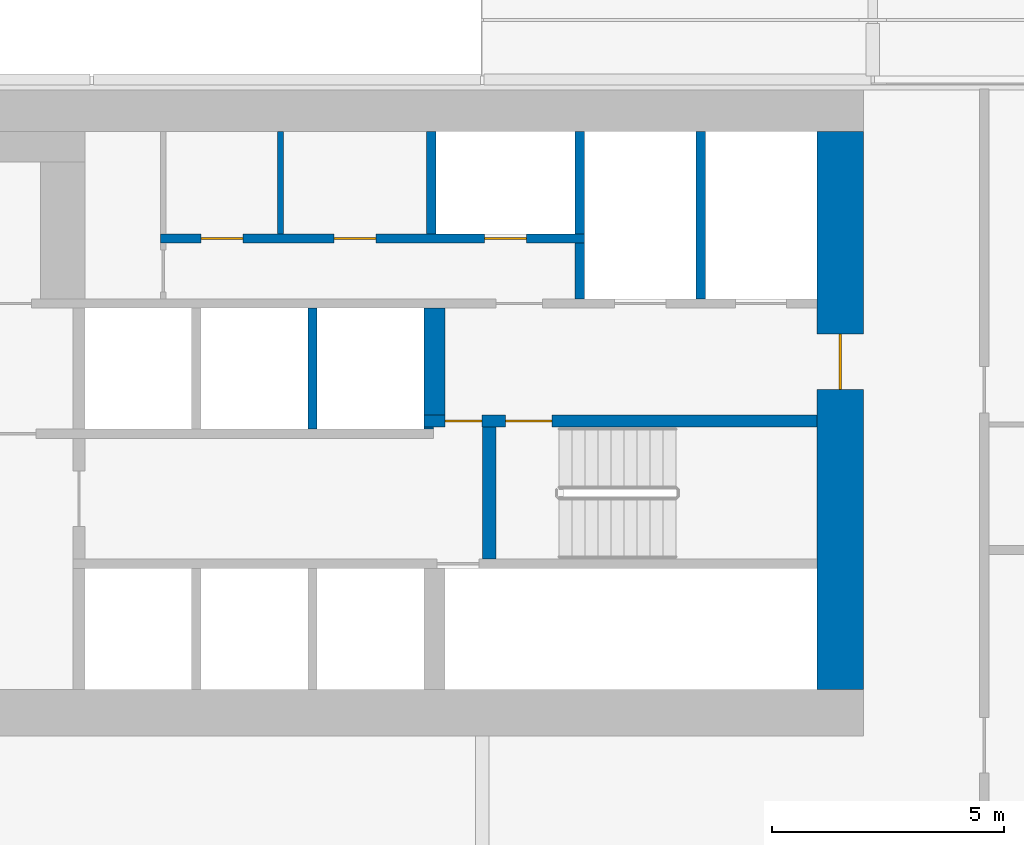
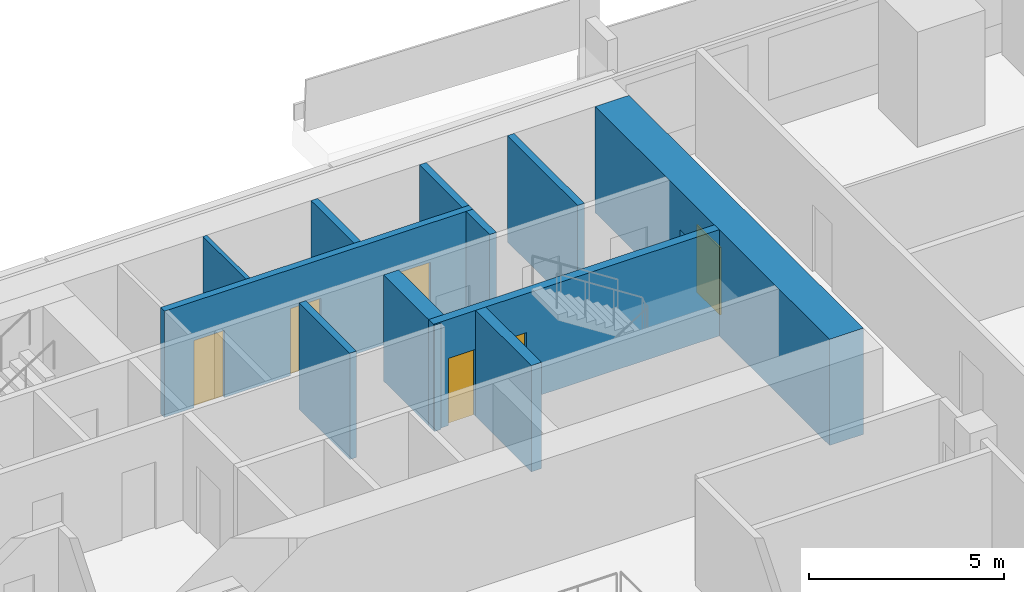
# One storey, part 23 of 30: 12 walls, 6 doors, 6 openings.
"""IFC4 building model written with IfcOpenShell, lengths in metres."""

from ifc_helpers import new_model, si_unit, direction, frame, frame_2d, origin, place, context, subcontext, project, spatial, rectangle, extrude, material, layer, layer_set, type_object, element, fill, save


model = new_model("IFC4")

# Units and contexts
model_context = context("Model", 3, precision=1e-05, world=origin(), true_north=direction((0.0, 1.0)))
body_context = subcontext(model_context, "Body", "Model", "MODEL_VIEW")
ifc_project = project(units=[si_unit("LENGTHUNIT", "METRE"), si_unit("AREAUNIT", "SQUARE_METRE"), si_unit("VOLUMEUNIT", "CUBIC_METRE"), si_unit("PLANEANGLEUNIT", "RADIAN"), si_unit("MASSUNIT", "GRAM", prefix="KILO")], contexts=[model_context])

# Site, building, storey
site_placement = place(None, origin())
site = spatial("IfcSite", under=ifc_project, at=site_placement, CompositionType="ELEMENT")
building_placement = place(site_placement, origin())
building = spatial("IfcBuilding", under=site, at=building_placement, Name="Saffron Gate Tower", CompositionType="ELEMENT")
storey_placement = place(building_placement, frame((0.0, 0.0, 95.25)))
storey = spatial("IfcBuildingStorey", under=building, at=storey_placement, Name="L21", CompositionType="ELEMENT", Elevation=95.25)

# Wall, opening, door
ifc_material_1 = material(Name="Concrete C70", Category="concrete")
ifc_layer_1 = layer(ifc_material_1, 1.0)
ifc_layer_set_1 = layer_set([ifc_layer_1], Name="CW12 RC core wall 1000 C70")
wall_type_1 = type_object("IfcWallType", Name="CW12 RC core wall 1000 C70", PredefinedType="SOLIDWALL", material=ifc_layer_set_1)
wall_1_placement = place(storey_placement, frame((107.89990234375, 62.39990234375, 0.0), z_axis=(0.0, 0.0, 1.0), x_axis=(0.0, 1.0, 0.0)))
wall_1 = element("IfcWall", 1, at=wall_1_placement, inside=storey, type_object=wall_type_1, Name="Wall CW12-L21-4", PredefinedType="SOLIDWALL", context=body_context, shape_type="SweptSolid", body=[
    extrude(rectangle(XDim=12.0, YDim=1.0, at=frame_2d((6.0, 0.0))), origin(), (0.0, 0.0, 1.0), 3.320068359375),
])
opening_1_placement = place(wall_1_placement, frame((6.449951171875, 0.0, 0.0)))
opening_1 = element("IfcOpeningElement", 2, at=opening_1_placement, cuts=wall_1, Name="Opening CR-08", PredefinedType="OPENING", context=body_context, shape_type="SweptSolid", body=[
    extrude(rectangle(XDim=1.199951171875, YDim=2.10009765625, at=frame_2d((0.60009765625, 1.050048828125))), frame((0.0, 0.510009765625, 0.0), z_axis=(0.0, -1.0, 0.0), x_axis=(1.0, 0.0, 0.0)), (0.0, 0.0, 1.0), 1.02001953125),
])
ifc_material_2 = material(Name="Steel fire door set", Category="steel")
door_type_1 = type_object("IfcDoorType", Name="CD7 Core entrance door 1200x2100 EI 120", OperationType="NOTDEFINED", PredefinedType="DOOR", material=ifc_material_2)
door_1_placement = place(opening_1_placement, origin())
door_1 = element("IfcDoor", 3, at=door_1_placement, inside=storey, type_object=door_type_1, Name="DOOR CR-08", OperationType="SINGLE_SWING_RIGHT", OverallHeight=2.10009765625, OverallWidth=1.199951171875, PredefinedType="DOOR", context=body_context, shape_type="SweptSolid", body=[
    extrude(rectangle(XDim=1.199951171875, YDim=2.10009765625, at=frame_2d((0.60009765625, 1.050048828125))), frame((0.0, 0.02490234375, 0.0), z_axis=(0.0, -1.0, 0.0), x_axis=(1.0, 0.0, 0.0)), (0.0, 0.0, 1.0), 0.050048828125),
])
fill(opening_1, door_1)

# Wall, openings, doors
ifc_layer_2 = layer(ifc_material_1, 0.25)
ifc_layer_set_2 = layer_set([ifc_layer_2], Name="CW2 RC core wall 250 C70")
wall_type_2 = type_object("IfcWallType", Name="CW2 RC core wall 250 C70", PredefinedType="SOLIDWALL", material=ifc_layer_set_2)
wall_2_placement = place(storey_placement, frame((98.949951171875, 68.175048828125, 0.0), z_axis=(0.0, 0.0, 1.0), x_axis=(1.0, 0.0, 0.0)))
wall_2 = element("IfcWall", 4, at=wall_2_placement, inside=storey, type_object=wall_type_2, Name="Wall CW2-L21-31", PredefinedType="SOLIDWALL", context=body_context, shape_type="SweptSolid", body=[
    extrude(rectangle(XDim=8.449951171875, YDim=0.25, at=frame_2d((4.22509765625, 0.0))), origin(), (0.0, 0.0, 1.0), 3.320068359375),
])
opening_2_placement = place(wall_2_placement, frame((0.449951171875, 0.0, 0.0)))
opening_2 = element("IfcOpeningElement", 5, at=opening_2_placement, cuts=wall_2, Name="Opening CR-05", PredefinedType="OPENING", context=body_context, shape_type="SweptSolid", body=[
    extrude(rectangle(XDim=0.800048828125, YDim=2.10009765625, at=frame_2d((0.39990234375, 1.050048828125))), frame((0.0, 0.135009765625, 0.0), z_axis=(0.0, -1.0, 0.0), x_axis=(1.0, 0.0, 0.0)), (0.0, 0.0, 1.0), 0.27001953125),
])
opening_3_placement = place(wall_2_placement, frame((1.75, 0.0, 0.0)))
opening_3 = element("IfcOpeningElement", 6, at=opening_3_placement, cuts=wall_2, Name="Opening CR-16", PredefinedType="OPENING", context=body_context, shape_type="SweptSolid", body=[
    extrude(rectangle(XDim=1.0, YDim=2.10009765625, at=frame_2d((0.5, 1.050048828125))), frame((0.0, 0.135009765625, 0.0), z_axis=(0.0, -1.0, 0.0), x_axis=(1.0, 0.0, 0.0)), (0.0, 0.0, 1.0), 0.27001953125),
])
door_type_2 = type_object("IfcDoorType", Name="CD5 Stair door 1000x2100 EI 120", OperationType="NOTDEFINED", PredefinedType="DOOR", material=ifc_material_2)
door_2_placement = place(opening_3_placement, origin())
door_2 = element("IfcDoor", 7, at=door_2_placement, inside=storey, type_object=door_type_2, Name="DOOR CR-16", OperationType="SINGLE_SWING_RIGHT", OverallHeight=2.10009765625, OverallWidth=1.0, PredefinedType="DOOR", context=body_context, shape_type="SweptSolid", body=[
    extrude(rectangle(XDim=1.0, YDim=2.10009765625, at=frame_2d((0.5, 1.050048828125))), frame((0.0, 0.02490234375, 0.0), z_axis=(0.0, -1.0, 0.0), x_axis=(1.0, 0.0, 0.0)), (0.0, 0.0, 1.0), 0.050048828125),
])
fill(opening_3, door_2)
door_type_3 = type_object("IfcDoorType", Name="CD6 Lobby door 800x2100 EI 120", OperationType="NOTDEFINED", PredefinedType="DOOR", material=ifc_material_2)
door_3_placement = place(opening_2_placement, origin())
door_3 = element("IfcDoor", 8, at=door_3_placement, inside=storey, type_object=door_type_3, Name="DOOR CR-05", OperationType="SINGLE_SWING_LEFT", OverallHeight=2.10009765625, OverallWidth=0.800048828125, PredefinedType="DOOR", context=body_context, shape_type="SweptSolid", body=[
    extrude(rectangle(XDim=0.800048828125, YDim=2.10009765625, at=frame_2d((0.39990234375, 1.050048828125))), frame((0.0, 0.02490234375, 0.0), z_axis=(0.0, -1.0, 0.0), x_axis=(1.0, 0.0, 0.0)), (0.0, 0.0, 1.0), 0.050048828125),
])
fill(opening_2, door_3)

# Walls
ifc_layer_3 = layer(ifc_material_1, 0.199951171875)
ifc_layer_set_3 = layer_set([ifc_layer_3], Name="CW3 RC core wall 200 C70")
wall_type_3 = type_object("IfcWallType", Name="CW3 RC core wall 200 C70", PredefinedType="SOLIDWALL", material=ifc_layer_set_3)
wall_3_placement = place(storey_placement, frame((96.550048828125, 68.0, 0.0), z_axis=(0.0, 0.0, 1.0), x_axis=(0.0, 1.0, 0.0)))
element("IfcWall", 9, at=wall_3_placement, inside=storey, type_object=wall_type_3, Name="Wall CW3-L21-28", PredefinedType="SOLIDWALL", context=body_context, shape_type="SweptSolid", body=[
    extrude(rectangle(XDim=2.60009765625, YDim=0.199951171875, at=frame_2d((1.300048828125, 0.0))), origin(), (0.0, 0.0, 1.0), 3.320068359375),
])
wall_4_placement = place(storey_placement, frame((102.300048828125, 70.800048828125, 0.0), z_axis=(0.0, 0.0, 1.0), x_axis=(0.0, 1.0, 0.0)))
element("IfcWall", 10, at=wall_4_placement, inside=storey, type_object=wall_type_3, Name="Wall CW3-L21-41", PredefinedType="SOLIDWALL", context=body_context, shape_type="SweptSolid", body=[
    extrude(rectangle(XDim=1.199951171875, YDim=0.199951171875, at=frame_2d((0.60009765625, 0.0))), origin(), (0.0, 0.0, 1.0), 3.320068359375),
])
wall_5_placement = place(storey_placement, frame((104.89990234375, 70.800048828125, 0.0), z_axis=(0.0, 0.0, 1.0), x_axis=(0.0, 1.0, 0.0)))
element("IfcWall", 11, at=wall_5_placement, inside=storey, type_object=wall_type_3, Name="Wall CW3-L21-42", PredefinedType="SOLIDWALL", context=body_context, shape_type="SweptSolid", body=[
    extrude(rectangle(XDim=3.599853515625, YDim=0.199951171875, at=frame_2d((1.7998046875, 0.0))), origin(), (0.0, 0.0, 1.0), 3.320068359375),
])

# Wall, openings, doors
wall_6_placement = place(storey_placement, frame((93.280029296875, 72.10009765625, 0.0), z_axis=(0.0, 0.0, 1.0), x_axis=(1.0, 0.0, 0.0)))
wall_6 = element("IfcWall", 12, at=wall_6_placement, inside=storey, type_object=wall_type_3, Name="Wall CW3-L21-44", PredefinedType="SOLIDWALL", context=body_context, shape_type="SweptSolid", body=[
    extrude(rectangle(XDim=9.119873046875, YDim=0.199951171875, at=frame_2d((4.56005859375, 0.0))), origin(), (0.0, 0.0, 1.0), 3.320068359375),
])
opening_4_placement = place(wall_6_placement, frame((0.8701171875, 0.0, 0.0)))
opening_4 = element("IfcOpeningElement", 13, at=opening_4_placement, cuts=wall_6, Name="Opening CR-50", PredefinedType="OPENING", context=body_context, shape_type="SweptSolid", body=[
    extrude(rectangle(XDim=0.89990234375, YDim=2.10009765625, at=frame_2d((0.449951171875, 1.050048828125))), frame((0.0, 0.10986328125, 0.0), z_axis=(0.0, -1.0, 0.0), x_axis=(1.0, 0.0, 0.0)), (0.0, 0.0, 1.0), 0.219970703125),
])
opening_5_placement = place(wall_6_placement, frame((3.72998046875, 0.0, 0.0)))
opening_5 = element("IfcOpeningElement", 14, at=opening_5_placement, cuts=wall_6, Name="Opening CR-53", PredefinedType="OPENING", context=body_context, shape_type="SweptSolid", body=[
    extrude(rectangle(XDim=0.89990234375, YDim=2.10009765625, at=frame_2d((0.449951171875, 1.050048828125))), frame((0.0, 0.10986328125, 0.0), z_axis=(0.0, -1.0, 0.0), x_axis=(1.0, 0.0, 0.0)), (0.0, 0.0, 1.0), 0.219970703125),
])
opening_6_placement = place(wall_6_placement, frame((6.969970703125, 0.0, 0.0)))
opening_6 = element("IfcOpeningElement", 15, at=opening_6_placement, cuts=wall_6, Name="Opening CR-70", PredefinedType="OPENING", context=body_context, shape_type="SweptSolid", body=[
    extrude(rectangle(XDim=0.89990234375, YDim=2.10009765625, at=frame_2d((0.449951171875, 1.050048828125))), frame((0.0, 0.10986328125, 0.0), z_axis=(0.0, -1.0, 0.0), x_axis=(1.0, 0.0, 0.0)), (0.0, 0.0, 1.0), 0.219970703125),
])
door_type_4 = type_object("IfcDoorType", Name="CD2 Riser door 900x2100 EI 60", OperationType="NOTDEFINED", PredefinedType="DOOR", material=ifc_material_2)
door_4_placement = place(opening_6_placement, origin())
door_4 = element("IfcDoor", 16, at=door_4_placement, inside=storey, type_object=door_type_4, Name="DOOR CR-70", OperationType="SINGLE_SWING_LEFT", OverallHeight=2.10009765625, OverallWidth=0.89990234375, PredefinedType="DOOR", context=body_context, shape_type="SweptSolid", body=[
    extrude(rectangle(XDim=0.89990234375, YDim=2.10009765625, at=frame_2d((0.449951171875, 1.050048828125))), frame((0.0, 0.02490234375, 0.0), z_axis=(0.0, -1.0, 0.0), x_axis=(1.0, 0.0, 0.0)), (0.0, 0.0, 1.0), 0.050048828125),
])
fill(opening_6, door_4)
door_type_5 = type_object("IfcDoorType", Name="CD9 Room door 900x2100 EI 60", OperationType="NOTDEFINED", PredefinedType="DOOR", material=ifc_material_2)
door_5_placement = place(opening_4_placement, origin())
door_5 = element("IfcDoor", 17, at=door_5_placement, inside=storey, type_object=door_type_5, Name="DOOR CR-50", OperationType="SINGLE_SWING_LEFT", OverallHeight=2.10009765625, OverallWidth=0.89990234375, PredefinedType="DOOR", context=body_context, shape_type="SweptSolid", body=[
    extrude(rectangle(XDim=0.89990234375, YDim=2.10009765625, at=frame_2d((0.449951171875, 1.050048828125))), frame((0.0, 0.02490234375, 0.0), z_axis=(0.0, -1.0, 0.0), x_axis=(1.0, 0.0, 0.0)), (0.0, 0.0, 1.0), 0.050048828125),
])
fill(opening_4, door_5)
door_6_placement = place(opening_5_placement, origin())
door_6 = element("IfcDoor", 18, at=door_6_placement, inside=storey, type_object=door_type_5, Name="DOOR CR-53", OperationType="SINGLE_SWING_LEFT", OverallHeight=2.10009765625, OverallWidth=0.89990234375, PredefinedType="DOOR", context=body_context, shape_type="SweptSolid", body=[
    extrude(rectangle(XDim=0.89990234375, YDim=2.10009765625, at=frame_2d((0.449951171875, 1.050048828125))), frame((0.0, 0.02490234375, 0.0), z_axis=(0.0, -1.0, 0.0), x_axis=(1.0, 0.0, 0.0)), (0.0, 0.0, 1.0), 0.050048828125),
])
fill(opening_5, door_6)

# Walls
for number, where, z_axis, x_axis, name in (
    (19, (99.10009765625, 72.199951171875, 0.0), (0.0, 0.0, 1.0), (0.0, 1.0, 0.0), "Wall CW3-L21-51"),
    (20, (102.300048828125, 72.199951171875, 0.0), (0.0, 0.0, 1.0), (0.0, 1.0, 0.0), "Wall CW3-L21-52"),
):
    element("IfcWall", number, at=place(storey_placement, frame(where, z_axis=z_axis, x_axis=x_axis)), inside=storey, type_object=wall_type_3, Name=name, PredefinedType="SOLIDWALL", context=body_context, shape_type="SweptSolid", body=[
        extrude(rectangle(XDim=2.199951171875, YDim=0.199951171875, at=frame_2d((1.10009765625, 0.0))), origin(), (0.0, 0.0, 1.0), 3.320068359375),
    ])
ifc_layer_4 = layer(ifc_material_1, 0.449951171875)
ifc_layer_set_4 = layer_set([ifc_layer_4], Name="CW4 RC core wall 450 C70")
wall_type_4 = type_object("IfcWallType", Name="CW4 RC core wall 450 C70", PredefinedType="SOLIDWALL", material=ifc_layer_set_4)
wall_7_placement = place(storey_placement, frame((99.175048828125, 68.300048828125, 0.0), z_axis=(0.0, 0.0, 1.0), x_axis=(0.0, 1.0, 0.0)))
element("IfcWall", 21, at=wall_7_placement, inside=storey, type_object=wall_type_4, Name="Wall CW4-L21-33", PredefinedType="SOLIDWALL", context=body_context, shape_type="SweptSolid", body=[
    extrude(rectangle(XDim=2.300048828125, YDim=0.449951171875, at=frame_2d((1.14990234375, 0.0))), origin(), (0.0, 0.0, 1.0), 3.320068359375),
])
ifc_layer_5 = layer(ifc_material_1, 0.300048828125)
ifc_layer_set_5 = layer_set([ifc_layer_5], Name="CW5 RC core wall 300 C70")
wall_type_5 = type_object("IfcWallType", Name="CW5 RC core wall 300 C70", PredefinedType="SOLIDWALL", material=ifc_layer_set_5)
wall_8_placement = place(storey_placement, frame((100.35009765625, 65.199951171875, 0.0), z_axis=(0.0, 0.0, 1.0), x_axis=(0.0, 1.0, 0.0)))
element("IfcWall", 22, at=wall_8_placement, inside=storey, type_object=wall_type_5, Name="Wall CW5-L21-19", PredefinedType="SOLIDWALL", context=body_context, shape_type="SweptSolid", body=[
    extrude(rectangle(XDim=2.85009765625, YDim=0.300048828125, at=frame_2d((1.425048828125, 0.0))), origin(), (0.0, 0.0, 1.0), 3.320068359375),
])
ifc_layer_6 = layer(ifc_material_1, 0.050048828125)
ifc_layer_set_6 = layer_set([ifc_layer_6], Name="CW6 RC core wall 50 C70")
wall_type_6 = type_object("IfcWallType", Name="CW6 RC core wall 50 C70", PredefinedType="SOLIDWALL", material=ifc_layer_set_6)
wall_9_placement = place(storey_placement, frame((98.949951171875, 68.02490234375, 0.0), z_axis=(0.0, 0.0, 1.0), x_axis=(1.0, 0.0, 0.0)))
element("IfcWall", 23, at=wall_9_placement, inside=storey, type_object=wall_type_6, Name="Wall CW6-L21-29", PredefinedType="SOLIDWALL", context=body_context, shape_type="SweptSolid", body=[
    extrude(rectangle(XDim=0.199951171875, YDim=0.050048828125, at=frame_2d((0.10009765625, 0.0))), origin(), (0.0, 0.0, 1.0), 3.320068359375),
])
ifc_material_3 = material(Name="Gypsum board partition on steel studs", Category="steel")
ifc_layer_7 = layer(ifc_material_3, 0.1201171875)
ifc_layer_set_7 = layer_set([ifc_layer_7], Name="CW8 Core partition 120")
wall_type_7 = type_object("IfcWallType", Name="CW8 Core partition 120", PredefinedType="PARTITIONING", material=ifc_layer_set_7)
wall_10_placement = place(storey_placement, frame((95.860107421875, 72.199951171875, 0.0), z_axis=(0.0, 0.0, 1.0), x_axis=(0.0, 1.0, 0.0)))
element("IfcWall", 24, at=wall_10_placement, inside=storey, type_object=wall_type_7, Name="Wall CW8-L21-50", PredefinedType="PARTITIONING", context=body_context, shape_type="SweptSolid", body=[
    extrude(rectangle(XDim=2.199951171875, YDim=0.1201171875, at=frame_2d((1.10009765625, 0.0))), origin(), (0.0, 0.0, 1.0), 3.320068359375),
])

save(model, "model.ifc")
